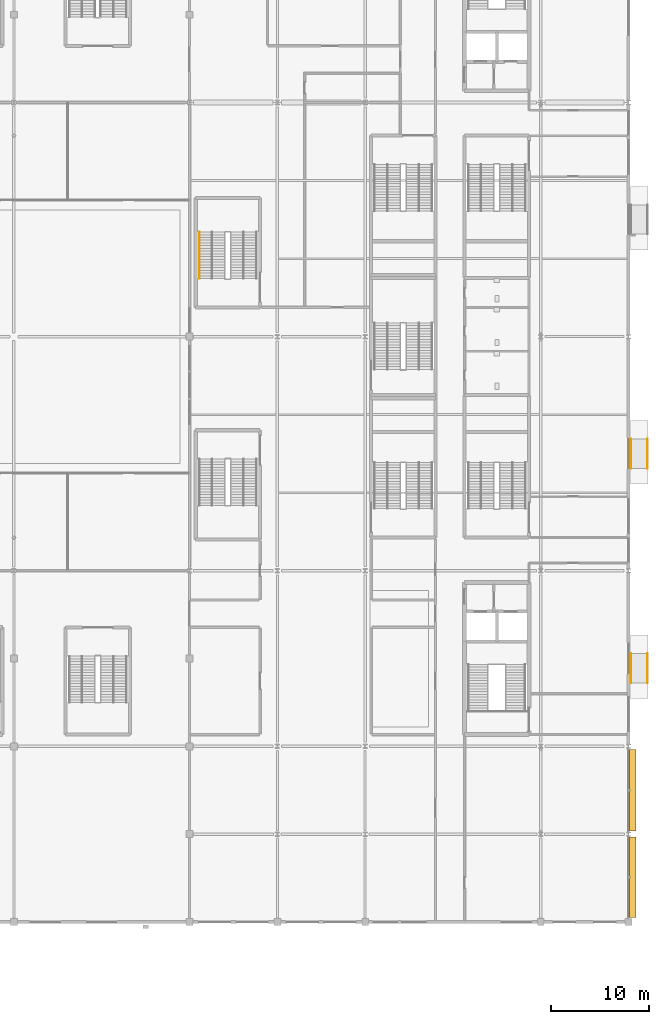
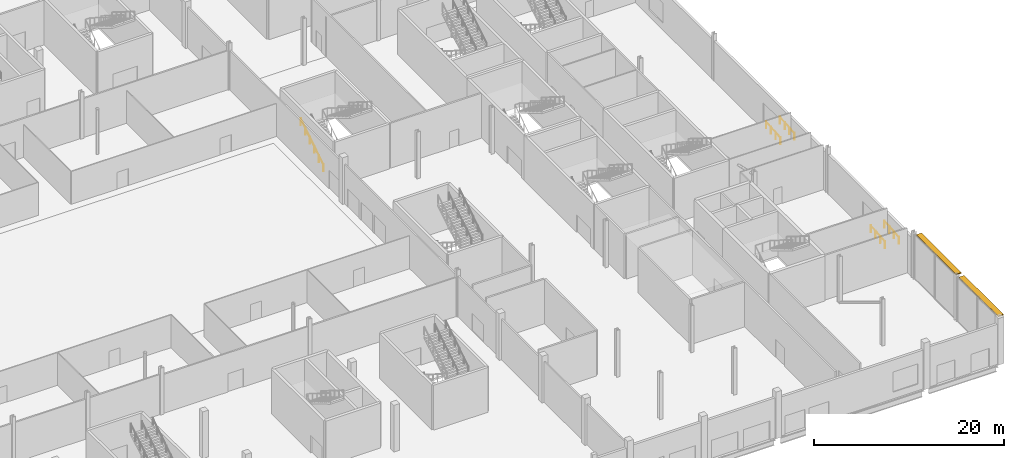
# One storey, part 79 of 84: 5 railings, 2 shading devices.
"""IFC4 building model written with IfcOpenShell, lengths in metres."""

import ifcopenshell
import ifcopenshell.guid

model = None  # the IFC model being written
_history = None  # IfcOwnerHistory: only IFC2X3 demands one
_inside = {}  # id of a spatial element -> (the spatial element, [elements in it])
_under = {}  # id of a project, library or spatial element -> (it, [spatial elements below it])
_declared = {}  # id of a project -> (the project, [libraries it declares])
_typed = {}  # id of a type object -> (the type object, [elements of that type])
_made_of = {}  # id of a material, layer set ... -> (it, [elements and type objects made of it])


def new_model(schema):
    """Start an empty IFC model of exactly this schema.

    Asked for "IFC4X3", IfcOpenShell would pick the latest addendum, in which some entities
    have other attributes; the version numbers below select the first issue.
    IFC2X3 requires an IfcOwnerHistory on every rooted entity: one is made here for all.
    """
    global model, _history
    if schema == "IFC4X3":
        model = ifcopenshell.file(schema_version=(4, 3, 0, 0))
    else:
        model = ifcopenshell.file(schema=schema)
    _inside.clear()
    _under.clear()
    _declared.clear()
    _typed.clear()
    _made_of.clear()
    _history = None
    if model.schema == "IFC2X3":
        org = make("IfcOrganization", Name="unknown")
        user = make(
            "IfcPersonAndOrganization",
            ThePerson=make("IfcPerson", FamilyName="unknown"),
            TheOrganization=org,
        )
        app = make(
            "IfcApplication",
            ApplicationDeveloper=org,
            Version="unknown",
            ApplicationFullName="unknown",
            ApplicationIdentifier="unknown",
        )
        _history = make(
            "IfcOwnerHistory",
            OwningUser=user,
            OwningApplication=app,
            ChangeAction="ADDED",
            CreationDate=0,
        )
    return model


def make(cls, **values):
    """One entity of the class cls with the attributes given. An attribute that is None is left unset."""
    return model.create_entity(
        cls, **{name: value for name, value in values.items() if value is not None}
    )


def rooted(cls, **values):
    """An entity with a GlobalId (a new one), such as an element, a storey or a relation."""
    return make(cls, GlobalId=ifcopenshell.guid.new(), OwnerHistory=_history, **values)


def si_unit(unit_type, name, prefix=None):
    """IfcSIUnit, for example si_unit("LENGTHUNIT", "METRE", prefix="MILLI")."""
    return make("IfcSIUnit", UnitType=unit_type, Prefix=prefix, Name=name)


def assignment(units):
    """IfcUnitAssignment: the units of a project."""
    return None if units is None else make("IfcUnitAssignment", Units=units)


def point(xyz):
    """IfcCartesianPoint."""
    return None if xyz is None else make("IfcCartesianPoint", Coordinates=xyz)


def direction(xyz):
    """IfcDirection."""
    return None if xyz is None else make("IfcDirection", DirectionRatios=xyz)


def frame(location, z_axis=None, x_axis=None):
    """IfcAxis2Placement3D, a coordinate frame: its origin and axes. An axis left out is left unset."""
    return make(
        "IfcAxis2Placement3D",
        Location=point(location),
        Axis=direction(z_axis),
        RefDirection=direction(x_axis),
    )


def frame_2d(location, x_axis=None):
    """IfcAxis2Placement2D, a coordinate frame in the plane: its origin and x axis."""
    return make(
        "IfcAxis2Placement2D", Location=point(location), RefDirection=direction(x_axis)
    )


def origin():
    """The frame at (0, 0, 0) with its axes left unset."""
    return frame((0.0, 0.0, 0.0))


def origin_2d():
    """The frame at (0, 0) in the plane with its x axis left unset."""
    return frame_2d((0.0, 0.0))


def place(relative_to, where):
    """IfcLocalPlacement: puts the frame where relative to a parent placement (None: the world)."""
    return make(
        "IfcLocalPlacement", PlacementRelTo=relative_to, RelativePlacement=where
    )


def context(
    kind, dimensions, precision=None, world=None, true_north=None, identifier=None
):
    """IfcGeometricRepresentationContext, for example the 3D "Model" context."""
    return make(
        "IfcGeometricRepresentationContext",
        ContextIdentifier=identifier,
        ContextType=kind,
        CoordinateSpaceDimension=dimensions,
        Precision=precision,
        WorldCoordinateSystem=world,
        TrueNorth=true_north,
    )


def subcontext(parent, identifier, kind, view, scale=None):
    """IfcGeometricRepresentationSubContext, for example "Body" below "Model"."""
    return make(
        "IfcGeometricRepresentationSubContext",
        ContextIdentifier=identifier,
        ContextType=kind,
        ParentContext=parent,
        TargetScale=scale,
        TargetView=view,
    )


def project(units=None, contexts=None):
    """IfcProject with its units and contexts."""
    return rooted(
        "IfcProject",
        Name="project",
        RepresentationContexts=contexts,
        UnitsInContext=assignment(units),
    )


def spatial(cls, under=None, at=None, **own):
    """A site, building, storey or space (cls), placed at a placement, below another one or the project."""
    s = rooted(cls, ObjectPlacement=at, **own)
    if under is not None:
        _under.setdefault(under.id(), (under, []))[1].append(s)
    return s


def profile(cls, at=None, kind="AREA", **sizes):
    """A parametric profile (cls). Its sizes go by their IFC names, for example OverallWidth=200.0."""
    return make(cls, ProfileType=kind, Position=at, **sizes)


def rectangle(**sizes):
    """IfcRectangleProfileDef."""
    return profile("IfcRectangleProfileDef", **sizes)


def circle(**sizes):
    """IfcCircleProfileDef."""
    return profile("IfcCircleProfileDef", **sizes)


def extrude(swept, where, along, depth):
    """IfcExtrudedAreaSolid: the profile swept, set in the frame where, extruded along a direction by depth."""
    return make(
        "IfcExtrudedAreaSolid",
        SweptArea=swept,
        Position=where,
        ExtrudedDirection=direction(along),
        Depth=depth,
    )


def shape(context_of_items, identifier, shape_type, items):
    """IfcShapeRepresentation: the items that make up one representation, for example the "Body"."""
    return make(
        "IfcShapeRepresentation",
        ContextOfItems=context_of_items,
        RepresentationIdentifier=identifier,
        RepresentationType=shape_type,
        Items=items,
    )


def material(Name=None, Category=None):
    """IfcMaterial."""
    return make("IfcMaterial", Name=Name, Category=Category)


def made_of(thing, what):
    """Note that an element or type object is made of a material, layer set ...; save() writes the relation."""
    if what is not None:
        _made_of.setdefault(what.id(), (what, []))[1].append(thing)
    return thing


def type_object(cls, material=None, **own):
    """A type object (cls), such as IfcWallType, which elements share."""
    return made_of(rooted(cls, **own), material)


def element(
    cls,
    number,
    at=None,
    inside=None,
    cuts=None,
    type_object=None,
    material=None,
    context=None,
    identifier="Body",
    shape_type=None,
    held_by="IfcProductDefinitionShape",
    body=None,
    shapes=None,
    **own,
):
    """One element of the class cls, such as IfcWall. Its Tag is "e" and its number.

    at: its placement. inside: the storey or other place that contains it. cuts: it is an
    opening in that element (IfcRelVoidsElement). A single representation is given by context,
    identifier, shape_type and body (its items); several are given by shapes. held_by: the class
    of the entity that holds the representations. save() writes the other relations.
    """
    e = rooted(cls, Tag="e%d" % number, ObjectPlacement=at, **own)
    if body is not None:
        shapes = [shape(context, identifier, shape_type, body)]
    if shapes is not None:
        e.Representation = make(held_by, Representations=shapes)
    if inside is not None:
        _inside.setdefault(inside.id(), (inside, []))[1].append(e)
    if cuts is not None:
        rooted(
            "IfcRelVoidsElement", RelatingBuildingElement=cuts, RelatedOpeningElement=e
        )
    if type_object is not None:
        _typed.setdefault(type_object.id(), (type_object, []))[1].append(e)
    return made_of(e, material)


def aggregate(whole, parts):
    """IfcRelAggregates: a whole, such as a stair, and the parts it consists of."""
    return rooted("IfcRelAggregates", RelatingObject=whole, RelatedObjects=parts)


def save(model, path):
    """Write the relations noted so far, then the file.

    IfcRelAggregates (storeys below a building ...), IfcRelContainedInSpatialStructure (elements
    in a storey), IfcRelDefinesByType, IfcRelAssociatesMaterial and IfcRelDeclares: one each for
    every whole, place, type object, material and project.
    """
    for whole, parts in _under.values():
        aggregate(whole, parts)
    for where, things in _inside.values():
        rooted(
            "IfcRelContainedInSpatialStructure",
            RelatedElements=things,
            RelatingStructure=where,
        )
    for kind, things in _typed.values():
        rooted("IfcRelDefinesByType", RelatedObjects=things, RelatingType=kind)
    for what, things in _made_of.values():
        rooted("IfcRelAssociatesMaterial", RelatedObjects=things, RelatingMaterial=what)
    for by, libraries in _declared.values():
        rooted("IfcRelDeclares", RelatingContext=by, RelatedDefinitions=libraries)
    model.write(path)


model = new_model("IFC4")

# Units and contexts
model_context = context("Model", 3, precision=1e-05, world=origin(), true_north=direction((0.0, 1.0)))
body_context = subcontext(model_context, "Body", "Model", "MODEL_VIEW")
ifc_project = project(units=[si_unit("LENGTHUNIT", "METRE"), si_unit("AREAUNIT", "SQUARE_METRE"), si_unit("VOLUMEUNIT", "CUBIC_METRE"), si_unit("PLANEANGLEUNIT", "RADIAN"), si_unit("MASSUNIT", "GRAM", prefix="KILO")], contexts=[model_context])

# Site, building, storey
site_placement = place(None, origin())
site = spatial("IfcSite", under=ifc_project, at=site_placement, CompositionType="ELEMENT")
building_placement = place(site_placement, origin())
building = spatial("IfcBuilding", under=site, at=building_placement, Name="Kisiwana Market Hall", CompositionType="ELEMENT")
storey_placement = place(building_placement, origin())
storey = spatial("IfcBuildingStorey", under=building, at=storey_placement, Name="L00", CompositionType="ELEMENT", Elevation=0.0)

# Railings
ifc_material_1 = material(Name="Steel S275", Category="steel")
railing_type = type_object("IfcRailingType", Name="RL-HAND-900", PredefinedType="HANDRAIL", material=ifc_material_1)
for number, where, name in (
    (1, (198.260009765625, 24.5, -0.25), "East Foyer South Ramp handrail L 900 RL-007"),
    (2, (199.93994140625, 24.5, -0.25), "East Foyer South Ramp handrail R 900 RL-008"),
    (3, (198.260009765625, 46.5, -0.25), "East Foyer Central Ramp handrail L 900 RL-009"),
    (4, (199.93994140625, 46.5, -0.25), "East Foyer Central Ramp handrail R 900 RL-010"),
):
    element("IfcRailing", number, at=place(storey_placement, frame(where)), inside=storey, type_object=railing_type, Name=name, PredefinedType="HANDRAIL", context=body_context, shape_type="SweptSolid", body=[
        extrude(circle(Radius=0.02392578125, at=origin_2d()), frame((0.0, 0.0, 0.8759765625), z_axis=(0.0, 0.996545758245, 0.083045479854), x_axis=(-1.0, 0.0, 0.0)), (0.0, 0.0, 1.0), 3.010498046875),
        extrude(circle(Radius=0.02099609375, at=origin_2d()), origin(), (0.0, 0.0, 1.0), 0.851806640625),
        extrude(circle(Radius=0.02099609375, at=origin_2d()), frame((0.0, 1.0, 0.083251953125)), (0.0, 0.0, 1.0), 0.851806640625),
        extrude(circle(Radius=0.02099609375, at=origin_2d()), frame((0.0, 2.0, 0.166748046875)), (0.0, 0.0, 1.0), 0.851806640625),
        extrude(circle(Radius=0.02099609375, at=origin_2d()), frame((0.0, 3.0, 0.25)), (0.0, 0.0, 1.0), 0.851806640625),
    ])
railing_placement = place(storey_placement, frame((154.0, 65.9599609375, 0.0)))
element("IfcRailing", 5, at=railing_placement, inside=storey, type_object=railing_type, Name="Stair ST-E10-L00 flight 1 handrail (RL-246)", PredefinedType="HANDRAIL", context=body_context, shape_type="SweptSolid", body=[
    extrude(circle(Radius=0.02392578125, at=origin_2d()), frame((0.0, 0.0, 0.8759765625), z_axis=(0.0, 0.845995810448, 0.533189542944), x_axis=(-1.0, 0.0, 0.0)), (0.0, 0.0, 1.0), 5.62646484375),
    extrude(circle(Radius=0.02099609375, at=origin_2d()), origin(), (0.0, 0.0, 1.0), 0.851806640625),
    extrude(circle(Radius=0.02099609375, at=origin_2d()), frame((0.0, 0.951904296875, 0.60009765625)), (0.0, 0.0, 1.0), 0.851806640625),
    extrude(circle(Radius=0.02099609375, at=origin_2d()), frame((0.0, 1.904052734375, 1.199951171875)), (0.0, 0.0, 1.0), 0.851806640625),
    extrude(circle(Radius=0.02099609375, at=origin_2d()), frame((0.0, 2.85595703125, 1.800048828125)), (0.0, 0.0, 1.0), 0.851806640625),
    extrude(circle(Radius=0.02099609375, at=origin_2d()), frame((0.0, 3.80810546875, 2.39990234375)), (0.0, 0.0, 1.0), 0.851806640625),
    extrude(circle(Radius=0.02099609375, at=origin_2d()), frame((0.0, 4.760009765625, 3.0)), (0.0, 0.0, 1.0), 0.851806640625),
])

# Shading devices
ifc_material_2 = material(Name="Aluminium alloy 6063-T6", Category="aluminium")
shading_device_type = type_object("IfcShadingDeviceType", Name="SHD-JALOUSIE-H", PredefinedType="JALOUSIE", material=ifc_material_2)
shading_device_1_placement = place(storey_placement, frame((198.419921875, 4.573486328125, 5.56982421875), z_axis=(0.0, 0.0, 1.0), x_axis=(0.0, 1.0, 0.0)))
element("IfcShadingDevice", 6, at=shading_device_1_placement, inside=storey, type_object=shading_device_type, Name="Aluminium brise-soleil louvre SHD-005 SD-005", PredefinedType="JALOUSIE", context=body_context, shape_type="SweptSolid", body=[
    extrude(rectangle(XDim=8.246826171875, YDim=0.64990234375, at=origin_2d()), origin(), (0.0, 0.0, 1.0), 0.1201171875),
])
shading_device_2_placement = place(storey_placement, frame((198.419921875, 13.492919921875, 5.56982421875), z_axis=(0.0, 0.0, 1.0), x_axis=(0.0, 1.0, 0.0)))
element("IfcShadingDevice", 7, at=shading_device_2_placement, inside=storey, type_object=shading_device_type, Name="Aluminium brise-soleil louvre SHD-006 SD-006", PredefinedType="JALOUSIE", context=body_context, shape_type="SweptSolid", body=[
    extrude(rectangle(XDim=8.37939453125, YDim=0.64990234375, at=origin_2d()), origin(), (0.0, 0.0, 1.0), 0.1201171875),
])

save(model, "model.ifc")
